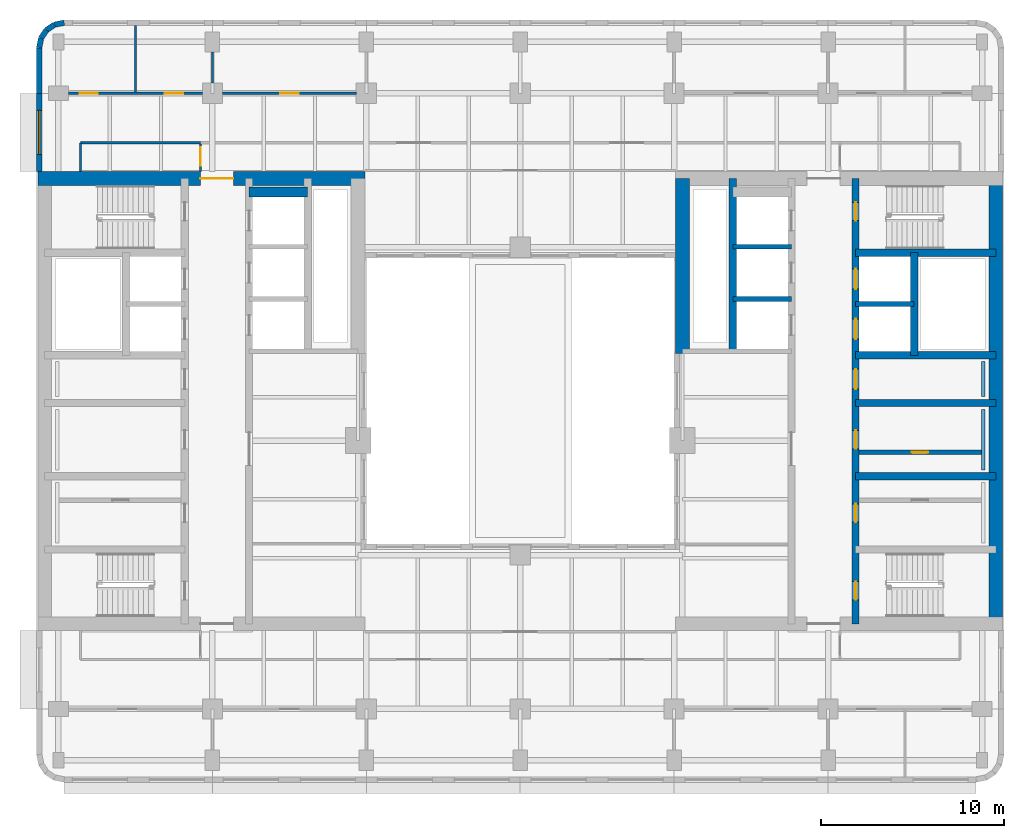
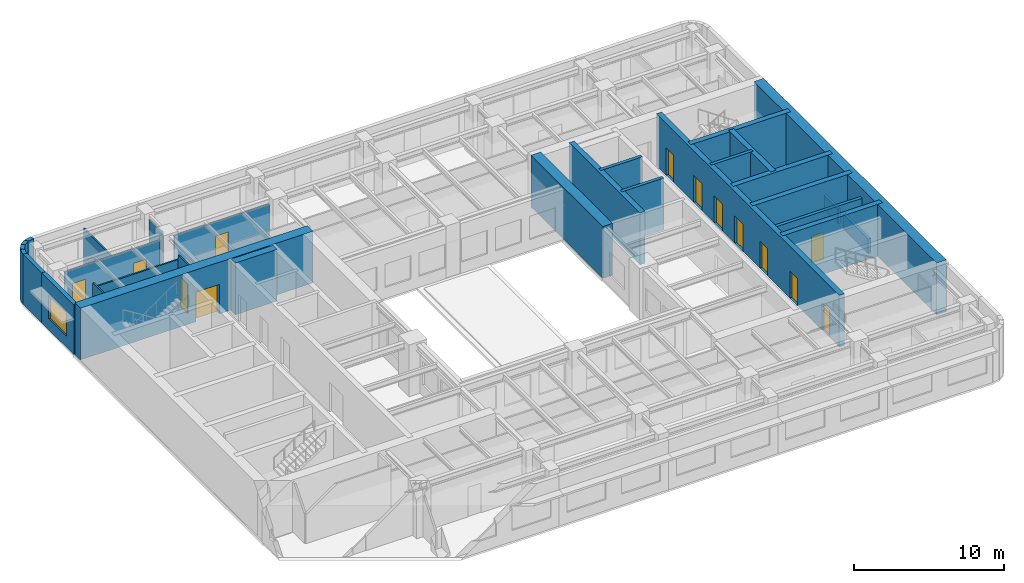
# One storey, part 6 of 11: 30 walls, 13 doors, 1 window, 14 openings.
"""IFC4 building model written with IfcOpenShell, lengths in metres."""

from ifc_helpers import new_model, si_unit, direction, frame, frame_2d, origin, place, context, subcontext, project, spatial, rectangle, extrude, material, layer, layer_set, type_object, element, fill, save


model = new_model("IFC4")

# Units and contexts
model_context = context("Model", 3, precision=1e-05, world=origin(), true_north=direction((0.0, 1.0)))
body_context = subcontext(model_context, "Body", "Model", "MODEL_VIEW")
ifc_project = project(units=[si_unit("LENGTHUNIT", "METRE"), si_unit("AREAUNIT", "SQUARE_METRE"), si_unit("VOLUMEUNIT", "CUBIC_METRE"), si_unit("PLANEANGLEUNIT", "RADIAN"), si_unit("MASSUNIT", "GRAM", prefix="KILO")], contexts=[model_context])

# Site, building, storey
site_placement = place(None, origin())
site = spatial("IfcSite", under=ifc_project, at=site_placement, CompositionType="ELEMENT")
building_placement = place(site_placement, origin())
building = spatial("IfcBuilding", under=site, at=building_placement, Name="Claustro Exchange Tower", CompositionType="ELEMENT")
storey_placement = place(building_placement, frame((0.0, 0.0, 177.60009765625)))
storey = spatial("IfcBuildingStorey", under=building, at=storey_placement, Name="L40", CompositionType="ELEMENT", Elevation=177.60009765625)

# Wall, openings, doors
ifc_material_1 = material(Name="Laminated glass in aluminium frame", Category="aluminium")
ifc_layer_1 = layer(ifc_material_1, 0.1201171875)
ifc_layer_set_1 = layer_set([ifc_layer_1], Name="Laminated glass in aluminium frame")
wall_type_1 = type_object("IfcWallType", Name="P2 120 glazed partition", PredefinedType="PARTITIONING", material=ifc_layer_set_1)
wall_1_placement = place(storey_placement, frame((0.549072265625, 42.0, 0.0), z_axis=(0.0, 0.0, 1.0), x_axis=(1.0, 0.0, 0.0)))
wall_1 = element("IfcWall", 1, at=wall_1_placement, inside=storey, type_object=wall_type_1, Name="Partition P2 L40", PredefinedType="PARTITIONING", context=body_context, shape_type="SweptSolid", body=[
    extrude(rectangle(XDim=7.302001953125, YDim=0.1201171875, at=frame_2d((3.65087890625, 0.0))), origin(), (0.0, 0.0, 1.0), 3.5498046875),
])
opening_1_placement = place(wall_1_placement, frame((0.60107421875, 0.0, 0.0)))
opening_1 = element("IfcOpeningElement", 2, at=opening_1_placement, cuts=wall_1, Name="Opening D7", PredefinedType="OPENING", context=body_context, shape_type="SweptSolid", body=[
    extrude(rectangle(XDim=1.0, YDim=2.39990234375, at=frame_2d((0.5, 1.199951171875))), frame((0.0, 0.070068359375, 0.0), z_axis=(0.0, -1.0, 0.0), x_axis=(1.0, 0.0, 0.0)), (0.0, 0.0, 1.0), 0.14013671875),
])
opening_2_placement = place(wall_1_placement, frame((5.2509765625, 0.0, 0.0)))
opening_2 = element("IfcOpeningElement", 3, at=opening_2_placement, cuts=wall_1, Name="Opening D7", PredefinedType="OPENING", context=body_context, shape_type="SweptSolid", body=[
    extrude(rectangle(XDim=1.0, YDim=2.39990234375, at=frame_2d((0.5, 1.199951171875))), frame((0.0, 0.070068359375, 0.0), z_axis=(0.0, -1.0, 0.0), x_axis=(1.0, 0.0, 0.0)), (0.0, 0.0, 1.0), 0.14013671875),
])
ifc_material_2 = material(Name="Glass door in aluminium frame", Category="aluminium")
door_type_1 = type_object("IfcDoorType", Name="D7 1000 x 2400 glazed door", OperationType="SINGLE_SWING_LEFT", PredefinedType="DOOR", material=ifc_material_2)
door_1_placement = place(opening_1_placement, origin())
door_1 = element("IfcDoor", 4, at=door_1_placement, inside=storey, type_object=door_type_1, Name="Door D7 L40", OperationType="SINGLE_SWING_RIGHT", OverallHeight=2.39990234375, OverallWidth=1.0, PredefinedType="DOOR", context=body_context, shape_type="SweptSolid", body=[
    extrude(rectangle(XDim=1.0, YDim=2.39990234375, at=frame_2d((0.5, 1.199951171875))), frame((0.0, 0.02490234375, 0.0), z_axis=(0.0, -1.0, 0.0), x_axis=(1.0, 0.0, 0.0)), (0.0, 0.0, 1.0), 0.050048828125),
])
fill(opening_1, door_1)
door_2_placement = place(opening_2_placement, origin())
door_2 = element("IfcDoor", 5, at=door_2_placement, inside=storey, type_object=door_type_1, Name="Door D7 L40", OperationType="SINGLE_SWING_RIGHT", OverallHeight=2.39990234375, OverallWidth=1.0, PredefinedType="DOOR", context=body_context, shape_type="SweptSolid", body=[
    extrude(rectangle(XDim=1.0, YDim=2.39990234375, at=frame_2d((0.5, 1.199951171875))), frame((0.0, 0.02490234375, 0.0), z_axis=(0.0, -1.0, 0.0), x_axis=(1.0, 0.0, 0.0)), (0.0, 0.0, 1.0), 0.050048828125),
])
fill(opening_2, door_2)

# Wall, opening, door
wall_2_placement = place(storey_placement, frame((8.948974609375, 42.0, 0.0), z_axis=(0.0, 0.0, 1.0), x_axis=(1.0, 0.0, 0.0)))
wall_2 = element("IfcWall", 6, at=wall_2_placement, inside=storey, type_object=wall_type_1, Name="Partition P2 L40", PredefinedType="PARTITIONING", context=body_context, shape_type="SweptSolid", body=[
    extrude(rectangle(XDim=7.302001953125, YDim=0.1201171875, at=frame_2d((3.65087890625, 0.0))), origin(), (0.0, 0.0, 1.0), 3.5498046875),
])
opening_3_placement = place(wall_2_placement, frame((3.15087890625, 0.0, 0.0)))
opening_3 = element("IfcOpeningElement", 7, at=opening_3_placement, cuts=wall_2, Name="Opening D7", PredefinedType="OPENING", context=body_context, shape_type="SweptSolid", body=[
    extrude(rectangle(XDim=1.0, YDim=2.39990234375, at=frame_2d((0.5, 1.199951171875))), frame((0.0, 0.070068359375, 0.0), z_axis=(0.0, -1.0, 0.0), x_axis=(1.0, 0.0, 0.0)), (0.0, 0.0, 1.0), 0.14013671875),
])
door_3_placement = place(opening_3_placement, origin())
door_3 = element("IfcDoor", 8, at=door_3_placement, inside=storey, type_object=door_type_1, Name="Door D7 L40", OperationType="SINGLE_SWING_LEFT", OverallHeight=2.39990234375, OverallWidth=1.0, PredefinedType="DOOR", context=body_context, shape_type="SweptSolid", body=[
    extrude(rectangle(XDim=1.0, YDim=2.39990234375, at=frame_2d((0.5, 1.199951171875))), frame((0.0, 0.02490234375, 0.0), z_axis=(0.0, -1.0, 0.0), x_axis=(1.0, 0.0, 0.0)), (0.0, 0.0, 1.0), 0.050048828125),
])
fill(opening_3, door_3)

# Walls
wall_3_placement = place(storey_placement, frame((4.199951171875, 42.05810546875, 0.0), z_axis=(0.0, 0.0, 1.0), x_axis=(0.0, 1.0, 0.0)))
element("IfcWall", 9, at=wall_3_placement, inside=storey, type_object=wall_type_1, Name="Partition P2 L40", PredefinedType="PARTITIONING", context=body_context, shape_type="SweptSolid", body=[
    extrude(rectangle(XDim=3.643798828125, YDim=0.1201171875, at=frame_2d((1.82177734375, 0.0))), origin(), (0.0, 0.0, 1.0), 3.5498046875),
])
wall_4_placement = place(storey_placement, frame((8.39990234375, 42.549072265625, 0.0), z_axis=(0.0, 0.0, 1.0), x_axis=(0.0, 1.0, 0.0)))
element("IfcWall", 10, at=wall_4_placement, inside=storey, type_object=wall_type_1, Name="Partition P2 L40", PredefinedType="PARTITIONING", context=body_context, shape_type="SweptSolid", body=[
    extrude(rectangle(XDim=1.701904296875, YDim=0.1201171875, at=frame_2d((0.85107421875, 0.0))), origin(), (0.0, 0.0, 1.0), 3.68994140625),
])

# Wall, opening, door
wall_5_placement = place(storey_placement, frame((7.75, 37.72412109375, 0.0), z_axis=(0.0, 0.0, 1.0), x_axis=(0.0, 1.0, 0.0)))
wall_5 = element("IfcWall", 11, at=wall_5_placement, inside=storey, type_object=wall_type_1, Name="Partition P2 L40", PredefinedType="PARTITIONING", context=body_context, shape_type="SweptSolid", body=[
    extrude(rectangle(XDim=1.517822265625, YDim=0.1201171875, at=frame_2d((0.7587890625, 0.0))), origin(), (0.0, 0.0, 1.0), 4.0498046875),
])
opening_4_placement = place(wall_5_placement, frame((0.325927734375, 0.0, 0.0)))
opening_4 = element("IfcOpeningElement", 12, at=opening_4_placement, cuts=wall_5, Name="Opening D7", PredefinedType="OPENING", context=body_context, shape_type="SweptSolid", body=[
    extrude(rectangle(XDim=1.0, YDim=2.39990234375, at=frame_2d((0.5, 1.199951171875))), frame((0.0, 0.070068359375, 0.0), z_axis=(0.0, -1.0, 0.0), x_axis=(1.0, 0.0, 0.0)), (0.0, 0.0, 1.0), 0.14013671875),
])
door_4_placement = place(opening_4_placement, origin())
door_4 = element("IfcDoor", 13, at=door_4_placement, inside=storey, type_object=door_type_1, Name="Door D7 L40", OperationType="SINGLE_SWING_LEFT", OverallHeight=2.39990234375, OverallWidth=1.0, PredefinedType="DOOR", context=body_context, shape_type="SweptSolid", body=[
    extrude(rectangle(XDim=1.0, YDim=2.39990234375, at=frame_2d((0.5, 1.199951171875))), frame((0.0, 0.02490234375, 0.0), z_axis=(0.0, -1.0, 0.0), x_axis=(1.0, 0.0, 0.0)), (0.0, 0.0, 1.0), 0.050048828125),
])
fill(opening_4, door_4)

# Walls
wall_6_placement = place(storey_placement, frame((1.199951171875, 39.300048828125, 0.0), z_axis=(0.0, 0.0, 1.0), x_axis=(1.0, 0.0, 0.0)))
element("IfcWall", 14, at=wall_6_placement, inside=storey, type_object=wall_type_1, Name="Partition P2 L40", PredefinedType="PARTITIONING", context=body_context, shape_type="SweptSolid", body=[
    extrude(rectangle(XDim=6.552001953125, YDim=0.1201171875, at=frame_2d((3.27587890625, 0.0))), origin(), (0.0, 0.0, 1.0), 3.68994140625),
])
wall_7_placement = place(storey_placement, frame((1.199951171875, 37.72412109375, 0.0), z_axis=(0.0, 0.0, 1.0), x_axis=(0.0, 1.0, 0.0)))
element("IfcWall", 15, at=wall_7_placement, inside=storey, type_object=wall_type_1, Name="Partition P2 L40", PredefinedType="PARTITIONING", context=body_context, shape_type="SweptSolid", body=[
    extrude(rectangle(XDim=1.575927734375, YDim=0.1201171875, at=frame_2d((0.7880859375, 0.0))), origin(), (0.0, 0.0, 1.0), 4.0498046875),
])

# Wall, opening, door
ifc_material_3 = material(Name="Concrete blockwork, rendered", Category="masonry")
ifc_layer_2 = layer(ifc_material_3, 0.25)
ifc_layer_set_2 = layer_set([ifc_layer_2], Name="Concrete blockwork, rendered")
wall_type_2 = type_object("IfcWallType", Name="P4 250 blockwork wall", PredefinedType="PARTITIONING", material=ifc_layer_set_2)
wall_8_placement = place(storey_placement, frame((43.699951171875, 22.39990234375, 0.0), z_axis=(0.0, 0.0, 1.0), x_axis=(1.0, 0.0, 0.0)))
wall_8 = element("IfcWall", 16, at=wall_8_placement, inside=storey, type_object=wall_type_2, Name="Partition P4 L40", PredefinedType="PARTITIONING", context=body_context, shape_type="SweptSolid", body=[
    extrude(rectangle(XDim=6.675048828125, YDim=0.25, at=frame_2d((3.33740234375, 0.0))), origin(), (0.0, 0.0, 1.0), 4.0),
])
opening_5_placement = place(wall_8_placement, frame((2.862548828125, 0.0, 0.0)))
opening_5 = element("IfcOpeningElement", 17, at=opening_5_placement, cuts=wall_8, Name="Opening D5", PredefinedType="OPENING", context=body_context, shape_type="SweptSolid", body=[
    extrude(rectangle(XDim=0.89990234375, YDim=2.199951171875, at=frame_2d((0.449951171875, 1.10009765625))), frame((0.0, 0.135009765625, 0.0), z_axis=(0.0, -1.0, 0.0), x_axis=(1.0, 0.0, 0.0)), (0.0, 0.0, 1.0), 0.27001953125),
])
ifc_material_4 = material(Name="Steel door, painted", Category="steel")
door_type_2 = type_object("IfcDoorType", Name="D5 900 x 2200 store door", OperationType="SINGLE_SWING_LEFT", PredefinedType="DOOR", material=ifc_material_4)
door_5_placement = place(opening_5_placement, frame((0.89990234375, 0.0, 0.0), z_axis=(0.0, 0.0, 1.0), x_axis=(-1.0, 0.0, 0.0)))
door_5 = element("IfcDoor", 18, at=door_5_placement, inside=storey, type_object=door_type_2, Name="Store door D5 L40", OperationType="SINGLE_SWING_RIGHT", OverallHeight=2.199951171875, OverallWidth=0.89990234375, PredefinedType="DOOR", context=body_context, shape_type="SweptSolid", body=[
    extrude(rectangle(XDim=0.89990234375, YDim=2.199951171875, at=frame_2d((0.449951171875, 1.10009765625))), frame((0.0, 0.02490234375, 0.0), z_axis=(0.0, -1.0, 0.0), x_axis=(1.0, 0.0, 0.0)), (0.0, 0.0, 1.0), 0.050048828125),
])
fill(opening_5, door_5)

# Wall, opening, window
ifc_material_5 = material(Name="Concrete HA-40 (C40/50), precast, white cement, acid-etched", Category="concrete")
ifc_layer_3 = layer(ifc_material_5, 0.300048828125)
ifc_layer_set_3 = layer_set([ifc_layer_3], Name="Concrete HA-40 (C40/50), precast, white cement, acid-etched")
wall_type_3 = type_object("IfcWallType", Name="PC1 300 precast concrete pier panel", PredefinedType="SOLIDWALL", material=ifc_layer_set_3)
wall_9_placement = place(storey_placement, frame((-1.050048828125, 37.72509765625, 0.0), z_axis=(0.0, 0.0, 1.0), x_axis=(0.0, 1.0, 0.0)))
wall_9 = element("IfcWall", 19, at=wall_9_placement, inside=storey, type_object=wall_type_3, Name="Precast pier panel PC1 L40", PredefinedType="SOLIDWALL", context=body_context, shape_type="SweptSolid", body=[
    extrude(rectangle(XDim=4.27490234375, YDim=0.300048828125, at=frame_2d((2.137451171875, 0.0))), origin(), (0.0, 0.0, 1.0), 4.0498046875),
])
opening_6_placement = place(wall_9_placement, frame((0.9375, 0.0, 0.89990234375)))
opening_6 = element("IfcOpeningElement", 20, at=opening_6_placement, cuts=wall_9, Name="Opening W2", PredefinedType="OPENING", context=body_context, shape_type="SweptSolid", body=[
    extrude(rectangle(XDim=2.39990234375, YDim=1.89990234375, at=frame_2d((1.199951171875, 0.949951171875))), frame((0.0, 0.159912109375, 0.0), z_axis=(0.0, -1.0, 0.0), x_axis=(1.0, 0.0, 0.0)), (0.0, 0.0, 1.0), 0.320068359375),
])
ifc_material_6 = material(Name="Aluminium frame, clear double glazing", Category="aluminium")
window_type = type_object("IfcWindowType", Name="W2 2400 x 1900 window", PartitioningType="SINGLE_PANEL", PredefinedType="WINDOW", material=ifc_material_6)
window_placement = place(opening_6_placement, origin())
window = element("IfcWindow", 21, at=window_placement, inside=storey, type_object=window_type, Name="Window W2 L40", OverallHeight=1.89990234375, OverallWidth=2.39990234375, PartitioningType="SINGLE_PANEL", PredefinedType="WINDOW", context=body_context, shape_type="SweptSolid", body=[
    extrude(rectangle(XDim=2.39990234375, YDim=1.89990234375, at=frame_2d((1.199951171875, 0.949951171875))), frame((0.0, 0.030029296875, 0.0), z_axis=(0.0, -1.0, 0.0), x_axis=(1.0, 0.0, 0.0)), (0.0, 0.0, 1.0), 0.06005859375),
])
fill(opening_6, window)

# Walls
wall_10_placement = place(storey_placement, frame((-1.050048828125, 42.0, 0.0), z_axis=(0.0, 0.0, 1.0), x_axis=(0.0, 1.0, 0.0)))
element("IfcWall", 22, at=wall_10_placement, inside=storey, type_object=wall_type_3, Name="Precast pier panel PC1 L40", PredefinedType="SOLIDWALL", context=body_context, shape_type="SweptSolid", body=[
    extrude(rectangle(XDim=2.485107421875, YDim=0.300048828125, at=frame_2d((1.24267578125, 0.0))), origin(), (0.0, 0.0, 1.0), 4.0498046875),
])
wall_11_placement = place(storey_placement, frame((-1.050048828125, 44.485107421875, 0.0), z_axis=(0.0, 0.0, 1.0), x_axis=(0.195073962632, 0.980788534345, 0.0)))
element("IfcWall", 23, at=wall_11_placement, inside=storey, type_object=wall_type_3, Name="Precast pier panel PC1 L40", PredefinedType="SOLIDWALL", context=body_context, shape_type="SweptSolid", body=[
    extrude(rectangle(XDim=0.540771484375, YDim=0.300048828125, at=frame_2d((0.2705078125, 0.0))), origin(), (0.0, 0.0, 1.0), 4.0498046875),
])
wall_12_placement = place(storey_placement, frame((-0.944580078125, 45.015380859375, 0.0), z_axis=(0.0, 0.0, 1.0), x_axis=(0.55534295404, 0.831621430339, 0.0)))
element("IfcWall", 24, at=wall_12_placement, inside=storey, type_object=wall_type_3, Name="Precast pier panel PC1 L40", PredefinedType="SOLIDWALL", context=body_context, shape_type="SweptSolid", body=[
    extrude(rectangle(XDim=0.52587890625, YDim=0.300048828125, at=frame_2d((0.262939453125, 0.0))), origin(), (0.0, 0.0, 1.0), 4.0498046875),
])
wall_13_placement = place(storey_placement, frame((-0.652587890625, 45.45263671875, 0.0), z_axis=(0.0, 0.0, 1.0), x_axis=(0.831692711774, 0.555236195849, 0.0)))
element("IfcWall", 25, at=wall_13_placement, inside=storey, type_object=wall_type_3, Name="Precast pier panel PC1 L40", PredefinedType="SOLIDWALL", context=body_context, shape_type="SweptSolid", body=[
    extrude(rectangle(XDim=0.525390625, YDim=0.300048828125, at=frame_2d((0.2626953125, 0.0))), origin(), (0.0, 0.0, 1.0), 4.0498046875),
])
wall_14_placement = place(storey_placement, frame((-0.215576171875, 45.744384765625, 0.0), z_axis=(0.0, 0.0, 1.0), x_axis=(0.980702050465, 0.1955082817, 0.0)))
element("IfcWall", 26, at=wall_14_placement, inside=storey, type_object=wall_type_3, Name="Precast pier panel PC1 L40", PredefinedType="SOLIDWALL", context=body_context, shape_type="SweptSolid", body=[
    extrude(rectangle(XDim=0.540771484375, YDim=0.300048828125, at=frame_2d((0.2705078125, 0.0))), origin(), (0.0, 0.0, 1.0), 4.0498046875),
])
ifc_material_7 = material(Name="Gypsum board on steel studs, tiled", Category="steel")
ifc_layer_4 = layer(ifc_material_7, 0.199951171875)
ifc_layer_set_4 = layer_set([ifc_layer_4], Name="Gypsum board on steel studs, tiled")
wall_type_4 = type_object("IfcWallType", Name="PW1 200 WC duct wall", PredefinedType="PLUMBINGWALL", material=ifc_layer_set_4)
wall_15_placement = place(storey_placement, frame((50.47509765625, 21.449951171875, 0.0), z_axis=(0.0, 0.0, 1.0), x_axis=(0.0, 1.0, 0.0)))
element("IfcWall", 27, at=wall_15_placement, inside=storey, type_object=wall_type_4, Name="WC duct wall PW1 L40", PredefinedType="PLUMBINGWALL", context=body_context, shape_type="SweptSolid", body=[
    extrude(rectangle(XDim=3.300048828125, YDim=0.199951171875, at=frame_2d((1.64990234375, 0.0))), origin(), (0.0, 0.0, 1.0), 1.199951171875),
])
wall_16_placement = place(storey_placement, frame((50.47509765625, 25.449951171875, 0.0), z_axis=(0.0, 0.0, 1.0), x_axis=(0.0, 1.0, 0.0)))
element("IfcWall", 28, at=wall_16_placement, inside=storey, type_object=wall_type_4, Name="WC duct wall PW1 L40", PredefinedType="PLUMBINGWALL", context=body_context, shape_type="SweptSolid", body=[
    extrude(rectangle(XDim=1.900146484375, YDim=0.199951171875, at=frame_2d((0.9501953125, 0.0))), origin(), (0.0, 0.0, 1.0), 1.199951171875),
])

# Wall, opening, door
ifc_material_8 = material(Name="Concrete HA-70 (C70/85)", Category="concrete")
ifc_layer_5 = layer(ifc_material_8, 0.75)
ifc_layer_set_5 = layer_set([ifc_layer_5], Name="Concrete HA-70 (C70/85)")
wall_type_5 = type_object("IfcWallType", Name="SW2 750 core shear wall", PredefinedType="SHEAR", material=ifc_layer_set_5)
wall_17_placement = place(storey_placement, frame((-1.125, 37.35009765625, 0.0), z_axis=(0.0, 0.0, 1.0), x_axis=(1.0, 0.0, 0.0)))
wall_17 = element("IfcWall", 29, at=wall_17_placement, inside=storey, type_object=wall_type_5, Name="Core wall SW2 W core N face L40", PredefinedType="SHEAR", context=body_context, shape_type="SweptSolid", body=[
    extrude(rectangle(XDim=17.85009765625, YDim=0.75, at=frame_2d((8.925048828125, 0.0))), origin(), (0.0, 0.0, 1.0), 4.199951171875),
])
opening_7_placement = place(wall_17_placement, frame((8.875, 0.0, 0.0)))
opening_7 = element("IfcOpeningElement", 30, at=opening_7_placement, cuts=wall_17, Name="Opening D3", PredefinedType="OPENING", context=body_context, shape_type="SweptSolid", body=[
    extrude(rectangle(XDim=1.800048828125, YDim=2.39990234375, at=frame_2d((0.89990234375, 1.199951171875))), frame((0.0, 0.385009765625, 0.0), z_axis=(0.0, -1.0, 0.0), x_axis=(1.0, 0.0, 0.0)), (0.0, 0.0, 1.0), 0.77001953125),
])
ifc_material_9 = material(Name="Steel fire door, painted", Category="steel")
door_type_3 = type_object("IfcDoorType", Name="D3 1800 x 2400 fire-rated lobby double door", OperationType="DOUBLE_DOOR_SINGLE_SWING", PredefinedType="DOOR", material=ifc_material_9)
door_6_placement = place(opening_7_placement, frame((1.800048828125, 0.0, 0.0), z_axis=(0.0, 0.0, 1.0), x_axis=(-1.0, 0.0, 0.0)))
door_6 = element("IfcDoor", 31, at=door_6_placement, inside=storey, type_object=door_type_3, Name="Lift lobby door D3 L40", OperationType="DOUBLE_DOOR_SINGLE_SWING", OverallHeight=2.39990234375, OverallWidth=1.800048828125, PredefinedType="DOOR", context=body_context, shape_type="SweptSolid", body=[
    extrude(rectangle(XDim=1.800048828125, YDim=2.39990234375, at=frame_2d((0.89990234375, 1.199951171875))), frame((0.0, 0.02490234375, 0.0), z_axis=(0.0, -1.0, 0.0), x_axis=(1.0, 0.0, 0.0)), (0.0, 0.0, 1.0), 0.050048828125),
])
fill(opening_7, door_6)

# Walls
ifc_material_10 = material(Name="Concrete HA-70 (C70/85)", Category="concrete")
ifc_layer_6 = layer(ifc_material_10, 0.75)
ifc_layer_set_6 = layer_set([ifc_layer_6], Name="Concrete HA-70 (C70/85)")
wall_type_6 = type_object("IfcWallType", Name="SW2X 750 exposed core shear wall, board-marked face", PredefinedType="SHEAR", material=ifc_layer_set_6)
wall_18_placement = place(storey_placement, frame((34.050048828125, 27.800048828125, 0.0), z_axis=(0.0, 0.0, 1.0), x_axis=(0.0, 1.0, 0.0)))
element("IfcWall", 32, at=wall_18_placement, inside=storey, type_object=wall_type_6, Name="Core wall SW2X E core W face L40", PredefinedType="SHEAR", context=body_context, shape_type="SweptSolid", body=[
    extrude(rectangle(XDim=9.550048828125, YDim=0.75, at=frame_2d((4.77490234375, 0.0))), origin(), (0.0, 0.0, 1.0), 4.199951171875),
])
wall_19_placement = place(storey_placement, frame((51.14990234375, 13.050048828125, 0.0), z_axis=(0.0, 0.0, 1.0), x_axis=(0.0, 1.0, 0.0)))
element("IfcWall", 33, at=wall_19_placement, inside=storey, type_object=wall_type_6, Name="Core wall SW2X E core E face L40", PredefinedType="SHEAR", context=body_context, shape_type="SweptSolid", body=[
    extrude(rectangle(XDim=24.300048828125, YDim=0.75, at=frame_2d((12.14990234375, 0.0))), origin(), (0.0, 0.0, 1.0), 4.199951171875),
])

# Wall, openings, doors
ifc_material_11 = material(Name="Concrete HA-50 (C50/60)", Category="concrete")
ifc_layer_7 = layer(ifc_material_11, 0.39990234375)
ifc_layer_set_7 = layer_set([ifc_layer_7], Name="Concrete HA-50 (C50/60)")
wall_type_7 = type_object("IfcWallType", Name="SW4 400 internal core wall", PredefinedType="SHEAR", material=ifc_layer_set_7)
wall_20_placement = place(storey_placement, frame((43.5, 13.050048828125, 0.0), z_axis=(0.0, 0.0, 1.0), x_axis=(0.0, 1.0, 0.0)))
wall_20 = element("IfcWall", 34, at=wall_20_placement, inside=storey, type_object=wall_type_7, Name="Internal core wall SW4 E core L40", PredefinedType="SHEAR", context=body_context, shape_type="SweptSolid", body=[
    extrude(rectangle(XDim=24.300048828125, YDim=0.39990234375, at=frame_2d((12.14990234375, 0.0))), origin(), (0.0, 0.0, 1.0), 4.199951171875),
])
opening_8_placement = place(wall_20_placement, frame((1.300048828125, 0.0, 0.0)))
opening_8 = element("IfcOpeningElement", 35, at=opening_8_placement, cuts=wall_20, Name="Opening D4", PredefinedType="OPENING", context=body_context, shape_type="SweptSolid", body=[
    extrude(rectangle(XDim=1.0, YDim=2.199951171875, at=frame_2d((0.5, 1.10009765625))), frame((0.0, 0.2099609375, 0.0), z_axis=(0.0, -1.0, 0.0), x_axis=(1.0, 0.0, 0.0)), (0.0, 0.0, 1.0), 0.419921875),
])
opening_9_placement = place(wall_20_placement, frame((22.0, 0.0, 0.0)))
opening_9 = element("IfcOpeningElement", 36, at=opening_9_placement, cuts=wall_20, Name="Opening D4", PredefinedType="OPENING", context=body_context, shape_type="SweptSolid", body=[
    extrude(rectangle(XDim=1.0, YDim=2.199951171875, at=frame_2d((0.5, 1.10009765625))), frame((0.0, 0.2099609375, 0.0), z_axis=(0.0, -1.0, 0.0), x_axis=(1.0, 0.0, 0.0)), (0.0, 0.0, 1.0), 0.419921875),
])
opening_10_placement = place(wall_20_placement, frame((5.550048828125, 0.0, 0.0)))
opening_10 = element("IfcOpeningElement", 37, at=opening_10_placement, cuts=wall_20, Name="Opening D1", PredefinedType="OPENING", context=body_context, shape_type="SweptSolid", body=[
    extrude(rectangle(XDim=1.0, YDim=2.199951171875, at=frame_2d((0.5, 1.10009765625))), frame((0.0, 0.2099609375, 0.0), z_axis=(0.0, -1.0, 0.0), x_axis=(1.0, 0.0, 0.0)), (0.0, 0.0, 1.0), 0.419921875),
])
opening_11_placement = place(wall_20_placement, frame((9.550048828125, 0.0, 0.0)))
opening_11 = element("IfcOpeningElement", 38, at=opening_11_placement, cuts=wall_20, Name="Opening D1", PredefinedType="OPENING", context=body_context, shape_type="SweptSolid", body=[
    extrude(rectangle(XDim=1.0, YDim=2.199951171875, at=frame_2d((0.5, 1.10009765625))), frame((0.0, 0.2099609375, 0.0), z_axis=(0.0, -1.0, 0.0), x_axis=(1.0, 0.0, 0.0)), (0.0, 0.0, 1.0), 0.419921875),
])
opening_12_placement = place(wall_20_placement, frame((12.800048828125, 0.0, 0.0)))
opening_12 = element("IfcOpeningElement", 39, at=opening_12_placement, cuts=wall_20, Name="Opening D10", PredefinedType="OPENING", context=body_context, shape_type="SweptSolid", body=[
    extrude(rectangle(XDim=1.10009765625, YDim=2.199951171875, at=frame_2d((0.550048828125, 1.10009765625))), frame((0.0, 0.2099609375, 0.0), z_axis=(0.0, -1.0, 0.0), x_axis=(1.0, 0.0, 0.0)), (0.0, 0.0, 1.0), 0.419921875),
])
opening_13_placement = place(wall_20_placement, frame((15.53759765625, 0.0, 0.0)))
opening_13 = element("IfcOpeningElement", 40, at=opening_13_placement, cuts=wall_20, Name="Opening LD", PredefinedType="OPENING", context=body_context, shape_type="SweptSolid", body=[
    extrude(rectangle(XDim=1.10009765625, YDim=2.199951171875, at=frame_2d((0.550048828125, 1.10009765625))), frame((0.0, 0.2099609375, 0.0), z_axis=(0.0, -1.0, 0.0), x_axis=(1.0, 0.0, 0.0)), (0.0, 0.0, 1.0), 0.419921875),
])
opening_14_placement = place(wall_20_placement, frame((18.262451171875, 0.0, 0.0)))
opening_14 = element("IfcOpeningElement", 41, at=opening_14_placement, cuts=wall_20, Name="Opening LD", PredefinedType="OPENING", context=body_context, shape_type="SweptSolid", body=[
    extrude(rectangle(XDim=1.10009765625, YDim=2.199951171875, at=frame_2d((0.550048828125, 1.10009765625))), frame((0.0, 0.2099609375, 0.0), z_axis=(0.0, -1.0, 0.0), x_axis=(1.0, 0.0, 0.0)), (0.0, 0.0, 1.0), 0.419921875),
])
ifc_material_12 = material(Name="Timber door, oak veneer", Category="wood")
door_type_4 = type_object("IfcDoorType", Name="D1 1000 x 2200 single door", OperationType="SINGLE_SWING_LEFT", PredefinedType="DOOR", material=ifc_material_12)
door_7_placement = place(opening_10_placement, frame((1.0, 0.0, 0.0), z_axis=(0.0, 0.0, 1.0), x_axis=(-1.0, 0.0, 0.0)))
door_7 = element("IfcDoor", 42, at=door_7_placement, inside=storey, type_object=door_type_4, Name="Door D1 L40", OperationType="SINGLE_SWING_LEFT", OverallHeight=2.199951171875, OverallWidth=1.0, PredefinedType="DOOR", context=body_context, shape_type="SweptSolid", body=[
    extrude(rectangle(XDim=1.0, YDim=2.199951171875, at=frame_2d((0.5, 1.10009765625))), frame((0.0, 0.02490234375, 0.0), z_axis=(0.0, -1.0, 0.0), x_axis=(1.0, 0.0, 0.0)), (0.0, 0.0, 1.0), 0.050048828125),
])
fill(opening_10, door_7)
door_8_placement = place(opening_11_placement, frame((1.0, 0.0, 0.0), z_axis=(0.0, 0.0, 1.0), x_axis=(-1.0, 0.0, 0.0)))
door_8 = element("IfcDoor", 43, at=door_8_placement, inside=storey, type_object=door_type_4, Name="Door D1 L40", OperationType="SINGLE_SWING_RIGHT", OverallHeight=2.199951171875, OverallWidth=1.0, PredefinedType="DOOR", context=body_context, shape_type="SweptSolid", body=[
    extrude(rectangle(XDim=1.0, YDim=2.199951171875, at=frame_2d((0.5, 1.10009765625))), frame((0.0, 0.02490234375, 0.0), z_axis=(0.0, -1.0, 0.0), x_axis=(1.0, 0.0, 0.0)), (0.0, 0.0, 1.0), 0.050048828125),
])
fill(opening_11, door_8)
ifc_material_13 = material(Name="Timber door, oak veneer", Category="wood")
door_type_5 = type_object("IfcDoorType", Name="D10 1100 x 2200 accessible WC door", OperationType="SINGLE_SWING_LEFT", PredefinedType="DOOR", material=ifc_material_13)
door_9_placement = place(opening_12_placement, origin())
door_9 = element("IfcDoor", 44, at=door_9_placement, inside=storey, type_object=door_type_5, Name="Accessible WC door D10 L40", OperationType="SINGLE_SWING_RIGHT", OverallHeight=2.199951171875, OverallWidth=1.10009765625, PredefinedType="DOOR", context=body_context, shape_type="SweptSolid", body=[
    extrude(rectangle(XDim=1.10009765625, YDim=2.199951171875, at=frame_2d((0.550048828125, 1.10009765625))), frame((0.0, 0.02490234375, 0.0), z_axis=(0.0, -1.0, 0.0), x_axis=(1.0, 0.0, 0.0)), (0.0, 0.0, 1.0), 0.050048828125),
])
fill(opening_12, door_9)
ifc_material_14 = material(Name="Steel fire door, painted", Category="steel")
door_type_6 = type_object("IfcDoorType", Name="D4 1000 x 2200 fire-rated stair door", OperationType="SINGLE_SWING_LEFT", PredefinedType="DOOR", material=ifc_material_14)
door_10_placement = place(opening_8_placement, frame((1.0, 0.0, 0.0), z_axis=(0.0, 0.0, 1.0), x_axis=(-1.0, 0.0, 0.0)))
door_10 = element("IfcDoor", 45, at=door_10_placement, inside=storey, type_object=door_type_6, Name="Stair door D4 L40", OperationType="SINGLE_SWING_RIGHT", OverallHeight=2.199951171875, OverallWidth=1.0, PredefinedType="DOOR", context=body_context, shape_type="SweptSolid", body=[
    extrude(rectangle(XDim=1.0, YDim=2.199951171875, at=frame_2d((0.5, 1.10009765625))), frame((0.0, 0.02490234375, 0.0), z_axis=(0.0, -1.0, 0.0), x_axis=(1.0, 0.0, 0.0)), (0.0, 0.0, 1.0), 0.050048828125),
])
fill(opening_8, door_10)
door_11_placement = place(opening_9_placement, frame((1.0, 0.0, 0.0), z_axis=(0.0, 0.0, 1.0), x_axis=(-1.0, 0.0, 0.0)))
door_11 = element("IfcDoor", 46, at=door_11_placement, inside=storey, type_object=door_type_6, Name="Stair door D4 L40", OperationType="SINGLE_SWING_LEFT", OverallHeight=2.199951171875, OverallWidth=1.0, PredefinedType="DOOR", context=body_context, shape_type="SweptSolid", body=[
    extrude(rectangle(XDim=1.0, YDim=2.199951171875, at=frame_2d((0.5, 1.10009765625))), frame((0.0, 0.02490234375, 0.0), z_axis=(0.0, -1.0, 0.0), x_axis=(1.0, 0.0, 0.0)), (0.0, 0.0, 1.0), 0.050048828125),
])
fill(opening_9, door_11)
ifc_material_15 = material(Name="Stainless steel sliding door", Category="steel")
door_type_7 = type_object("IfcDoorType", Name="LD 1100 x 2200 lift landing door", OperationType="DOUBLE_DOOR_SLIDING", PredefinedType="DOOR", material=ifc_material_15)
door_12_placement = place(opening_13_placement, origin())
door_12 = element("IfcDoor", 47, at=door_12_placement, inside=storey, type_object=door_type_7, Name="Lift landing door LEE1 LD L40", OperationType="DOUBLE_DOOR_SLIDING", OverallHeight=2.199951171875, OverallWidth=1.10009765625, PredefinedType="DOOR", context=body_context, shape_type="SweptSolid", body=[
    extrude(rectangle(XDim=1.10009765625, YDim=2.199951171875, at=frame_2d((0.550048828125, 1.10009765625))), frame((0.0, 0.02490234375, 0.0), z_axis=(0.0, -1.0, 0.0), x_axis=(1.0, 0.0, 0.0)), (0.0, 0.0, 1.0), 0.050048828125),
])
fill(opening_13, door_12)
door_13_placement = place(opening_14_placement, origin())
door_13 = element("IfcDoor", 48, at=door_13_placement, inside=storey, type_object=door_type_7, Name="Lift landing door LEE2 LD L40", OperationType="DOUBLE_DOOR_SLIDING", OverallHeight=2.199951171875, OverallWidth=1.10009765625, PredefinedType="DOOR", context=body_context, shape_type="SweptSolid", body=[
    extrude(rectangle(XDim=1.10009765625, YDim=2.199951171875, at=frame_2d((0.550048828125, 1.10009765625))), frame((0.0, 0.02490234375, 0.0), z_axis=(0.0, -1.0, 0.0), x_axis=(1.0, 0.0, 0.0)), (0.0, 0.0, 1.0), 0.050048828125),
])
fill(opening_14, door_13)

# Walls
wall_21_placement = place(storey_placement, frame((36.800048828125, 27.925048828125, 0.0), z_axis=(0.0, 0.0, 1.0), x_axis=(0.0, 1.0, 0.0)))
element("IfcWall", 49, at=wall_21_placement, inside=storey, type_object=wall_type_7, Name="Internal core wall SW4 E core L40", PredefinedType="SHEAR", context=body_context, shape_type="SweptSolid", body=[
    extrude(rectangle(XDim=9.425048828125, YDim=0.39990234375, at=frame_2d((4.71240234375, 0.0))), origin(), (0.0, 0.0, 1.0), 4.199951171875),
])
for number, where, z_axis, x_axis, name in (
    (50, (51.14990234375, 21.10009765625, 0.0), (0.0, 0.0, 1.0), (-1.0, 0.0, 0.0), "Internal core wall SW4 E core L40"),
    (51, (51.14990234375, 25.10009765625, 0.0), (0.0, 0.0, 1.0), (-1.0, 0.0, 0.0), "Internal core wall SW4 E core L40"),
    (52, (51.14990234375, 27.699951171875, 0.0), (0.0, 0.0, 1.0), (-1.0, 0.0, 0.0), "Internal core wall SW4 E core L40"),
    (53, (51.14990234375, 33.300048828125, 0.0), (0.0, 0.0, 1.0), (-1.0, 0.0, 0.0), "Internal core wall SW4 E core L40"),
):
    element("IfcWall", number, at=place(storey_placement, frame(where, z_axis=z_axis, x_axis=x_axis)), inside=storey, type_object=wall_type_7, Name=name, PredefinedType="SHEAR", context=body_context, shape_type="SweptSolid", body=[
        extrude(rectangle(XDim=7.64990234375, YDim=0.39990234375, at=frame_2d((3.824951171875, 0.0))), origin(), (0.0, 0.0, 1.0), 4.199951171875),
    ])
wall_22_placement = place(storey_placement, frame((46.699951171875, 27.699951171875, 0.0), z_axis=(0.0, 0.0, 1.0), x_axis=(0.0, 1.0, 0.0)))
element("IfcWall", 54, at=wall_22_placement, inside=storey, type_object=wall_type_7, Name="Internal core wall SW4 E core L40", PredefinedType="SHEAR", context=body_context, shape_type="SweptSolid", body=[
    extrude(rectangle(XDim=5.60009765625, YDim=0.39990234375, at=frame_2d((2.800048828125, 0.0))), origin(), (0.0, 0.0, 1.0), 4.199951171875),
])
ifc_material_16 = material(Name="Concrete HA-50 (C50/60)", Category="concrete")
ifc_layer_8 = layer(ifc_material_16, 0.25)
ifc_layer_set_8 = layer_set([ifc_layer_8], Name="Concrete HA-50 (C50/60)")
wall_type_8 = type_object("IfcWallType", Name="SW5 250 lift shaft divider wall", PredefinedType="SHEAR", material=ifc_layer_set_8)
for number, where, z_axis, x_axis, name in (
    (55, (46.699951171875, 30.5, 0.0), (0.0, 0.0, 1.0), (-1.0, 0.0, 0.0), "Lift shaft wall E core L40"),
    (56, (40.0, 30.77490234375, 0.0), (0.0, 0.0, 1.0), (-1.0, 0.0, 0.0), "Lift shaft wall E core L40"),
    (57, (40.0, 33.625, 0.0), (0.0, 0.0, 1.0), (-1.0, 0.0, 0.0), "Lift shaft wall E core L40"),
):
    element("IfcWall", number, at=place(storey_placement, frame(where, z_axis=z_axis, x_axis=x_axis)), inside=storey, type_object=wall_type_8, Name=name, PredefinedType="SHEAR", context=body_context, shape_type="SweptSolid", body=[
        extrude(rectangle(XDim=3.199951171875, YDim=0.25, at=frame_2d((1.60009765625, 0.0))), origin(), (0.0, 0.0, 1.0), 4.199951171875),
    ])
ifc_material_17 = material(Name="Concrete HA-50 (C50/60)", Category="concrete")
ifc_layer_9 = layer(ifc_material_17, 0.550048828125)
ifc_layer_set_9 = layer_set([ifc_layer_9], Name="Concrete HA-50 (C50/60)")
wall_type_9 = type_object("IfcWallType", Name="SW6 550 lift shaft end wall", PredefinedType="SHEAR", material=ifc_layer_set_9)
wall_23_placement = place(storey_placement, frame((10.39990234375, 36.625, 0.0), z_axis=(0.0, 0.0, 1.0), x_axis=(1.0, 0.0, 0.0)))
element("IfcWall", 58, at=wall_23_placement, inside=storey, type_object=wall_type_9, Name="Lift shaft wall W core L40", PredefinedType="SHEAR", context=body_context, shape_type="SweptSolid", body=[
    extrude(rectangle(XDim=3.2001953125, YDim=0.550048828125, at=frame_2d((1.60009765625, 0.0))), origin(), (0.0, 0.0, 1.0), 4.199951171875),
])

save(model, "model.ifc")
